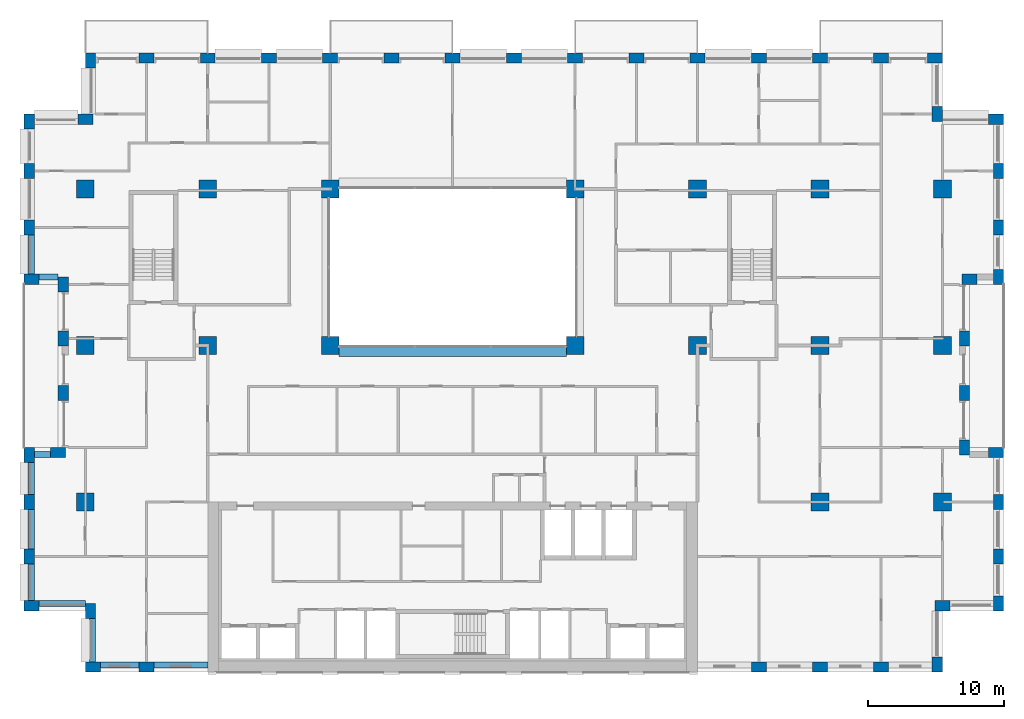
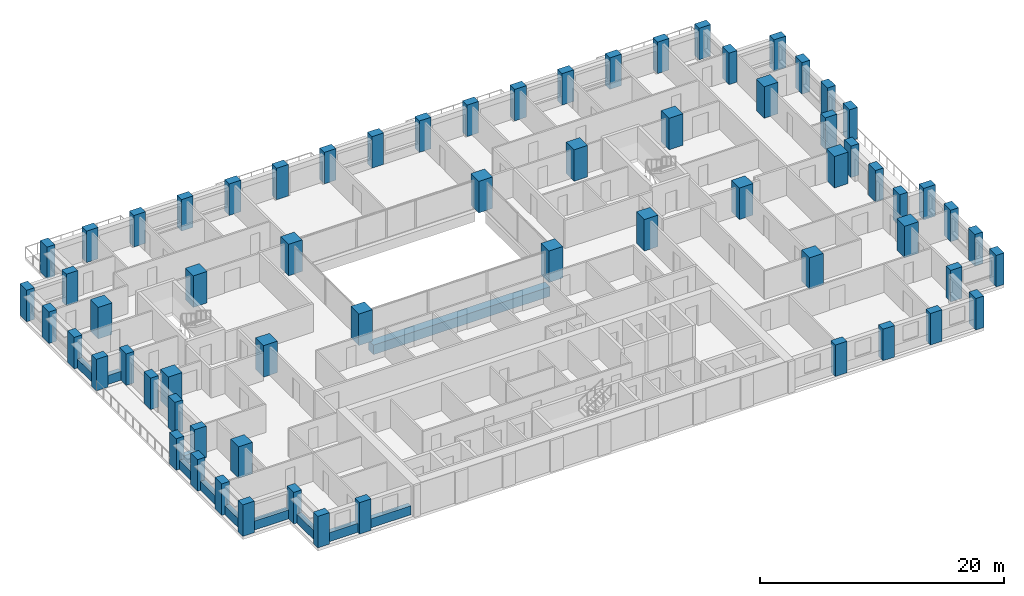
# One storey, part 1 of 16: 66 columns, 11 beams.
"""IFC4 building model written with IfcOpenShell, lengths in metres."""

from ifc_helpers import new_model, si_unit, direction, frame, origin, origin_2d, place, context, subcontext, project, spatial, rectangle, extrude, material, material_profile, profile_set, type_object, element, save


model = new_model("IFC4")

# Units and contexts
model_context = context("Model", 3, precision=1e-05, world=origin(), true_north=direction((0.0, 1.0)))
body_context = subcontext(model_context, "Body", "Model", "MODEL_VIEW")
ifc_project = project(units=[si_unit("LENGTHUNIT", "METRE"), si_unit("AREAUNIT", "SQUARE_METRE"), si_unit("VOLUMEUNIT", "CUBIC_METRE"), si_unit("PLANEANGLEUNIT", "RADIAN"), si_unit("MASSUNIT", "GRAM", prefix="KILO")], contexts=[model_context])

# Site, building, storey
site_placement = place(None, origin())
site = spatial("IfcSite", under=ifc_project, at=site_placement, CompositionType="ELEMENT")
building_placement = place(site_placement, origin())
building = spatial("IfcBuilding", under=site, at=building_placement, Name="Brigalow Station Residences", CompositionType="ELEMENT")
storey_placement = place(building_placement, frame((0.0, 0.0, 89.85009765625)))
storey = spatial("IfcBuildingStorey", under=building, at=storey_placement, Name="L25", CompositionType="ELEMENT", Elevation=89.85009765625)

# Columns
ifc_material_1 = material(Name="Concrete C65", Category="concrete")
ifc_material_profile_1 = material_profile(ifc_material_1, rectangle(XDim=1.300048828125, YDim=1.300048828125, at=origin_2d()), Name="RC1300x1300")
ifc_profile_set_1 = profile_set([ifc_material_profile_1], Name="Concrete C65")
column_type_1 = type_object("IfcColumnType", Name="COLUMN 1300x1300 C65", PredefinedType="COLUMN", material=ifc_profile_set_1)
for number, where, z_axis, x_axis, name in (
    (1, (9.0, 24.0, 0.0), (0.0, 0.0, 1.0), (1.0, 0.0, 0.0), "COLUMN C1 L25"),
    (2, (18.0, 24.0, 0.0), (0.0, 0.0, 1.0), (1.0, 0.0, 0.0), "COLUMN C2 L25"),
    (3, (27.0, 24.0, 0.0), (0.0, 0.0, 1.0), (1.0, 0.0, 0.0), "COLUMN C3 L25"),
    (4, (45.0, 24.0, 0.0), (0.0, 0.0, 1.0), (1.0, 0.0, 0.0), "COLUMN C5 L25"),
    (5, (54.0, 24.0, 0.0), (0.0, 0.0, 1.0), (1.0, 0.0, 0.0), "COLUMN C6 L25"),
    (6, (63.0, 24.0, 0.0), (0.0, 0.0, 1.0), (1.0, 0.0, 0.0), "COLUMN C7 L25"),
    (7, (72.0, 24.0, 0.0), (0.0, 0.0, 1.0), (1.0, 0.0, 0.0), "COLUMN C8 L25"),
    (8, (9.0, 35.5, 0.0), (0.0, 0.0, 1.0), (1.0, 0.0, 0.0), "COLUMN D1 L25"),
    (9, (18.0, 35.5, 0.0), (0.0, 0.0, 1.0), (1.0, 0.0, 0.0), "COLUMN D2 L25"),
    (10, (27.0, 35.5, 0.0), (0.0, 0.0, 1.0), (1.0, 0.0, 0.0), "COLUMN D3 L25"),
    (11, (45.0, 35.5, 0.0), (0.0, 0.0, 1.0), (1.0, 0.0, 0.0), "COLUMN D5 L25"),
    (12, (54.0, 35.5, 0.0), (0.0, 0.0, 1.0), (1.0, 0.0, 0.0), "COLUMN D6 L25"),
    (13, (63.0, 35.5, 0.0), (0.0, 0.0, 1.0), (1.0, 0.0, 0.0), "COLUMN D7 L25"),
    (14, (72.0, 35.5, 0.0), (0.0, 0.0, 1.0), (1.0, 0.0, 0.0), "COLUMN D8 L25"),
    (15, (9.0, 12.5, 0.0), (0.0, 0.0, 1.0), (1.0, 0.0, 0.0), "COLUMN B1 L25"),
    (16, (63.0, 12.5, 0.0), (0.0, 0.0, 1.0), (1.0, 0.0, 0.0), "COLUMN B7 L25"),
    (17, (72.0, 12.5, 0.0), (0.0, 0.0, 1.0), (1.0, 0.0, 0.0), "COLUMN B8 L25"),
):
    element("IfcColumn", number, at=place(storey_placement, frame(where, z_axis=z_axis, x_axis=x_axis)), inside=storey, type_object=column_type_1, Name=name, PredefinedType="COLUMN", context=body_context, shape_type="SweptSolid", body=[
        extrude(rectangle(XDim=1.300048828125, YDim=1.300048828125, at=origin_2d()), origin(), (0.0, 0.0, 1.0), 3.14990234375),
    ])
ifc_material_2 = material(Name="Concrete C65", Category="concrete")
ifc_material_profile_2 = material_profile(ifc_material_2, rectangle(XDim=1.10009765625, YDim=0.75, at=origin_2d()), Name="RC1100x750")
ifc_profile_set_2 = profile_set([ifc_material_profile_2], Name="Concrete C65")
column_type_2 = type_object("IfcColumnType", Name="PIER 1100x750 C65", PredefinedType="USERDEFINED", material=ifc_profile_set_2)
for number, where, z_axis, x_axis, name in (
    (18, (9.550048828125, 0.375, 0.0), (0.0, 0.0, 1.0), (1.0, 0.0, 0.0), "PIER S-1 L25"),
    (19, (13.5, 0.375, 0.0), (0.0, 0.0, 1.0), (1.0, 0.0, 0.0), "PIER S-2 L25"),
    (20, (58.5, 0.375, 0.0), (0.0, 0.0, 1.0), (1.0, 0.0, 0.0), "PIER S-12 L25"),
    (21, (63.0, 0.375, 0.0), (0.0, 0.0, 1.0), (1.0, 0.0, 0.0), "PIER S-13 L25"),
    (22, (67.5, 0.375, 0.0), (0.0, 0.0, 1.0), (1.0, 0.0, 0.0), "PIER S-14 L25"),
    (23, (71.625, 0.550048828125, 0.0), (0.0, 0.0, 1.0), (0.0, 1.0, 0.0), "PIER SE1-1 L25"),
    (24, (72.0, 4.875, 0.0), (0.0, 0.0, 1.0), (1.0, 0.0, 0.0), "PIER SE2-1 L25"),
    (25, (76.125, 5.050048828125, 0.0), (0.0, 0.0, 1.0), (0.0, 1.0, 0.0), "PIER E1-1 L25"),
    (26, (76.125, 8.5, 0.0), (0.0, 0.0, 1.0), (0.0, 1.0, 0.0), "PIER E1-2 L25"),
    (27, (76.125, 12.5, 0.0), (0.0, 0.0, 1.0), (0.0, 1.0, 0.0), "PIER E1-3 L25"),
    (28, (75.949951171875, 16.125, 0.0), (0.0, 0.0, 1.0), (-1.0, 0.0, 0.0), "PIER EL1-1 L25"),
    (29, (73.625, 16.5, 0.0), (0.0, 0.0, 1.0), (0.0, 1.0, 0.0), "PIER EL2-1 L25"),
    (30, (73.625, 20.5, 0.0), (0.0, 0.0, 1.0), (0.0, 1.0, 0.0), "PIER EL2-2 L25"),
    (31, (73.625, 24.5, 0.0), (0.0, 0.0, 1.0), (0.0, 1.0, 0.0), "PIER EL2-3 L25"),
    (32, (74.0, 28.875, 0.0), (0.0, 0.0, 1.0), (1.0, 0.0, 0.0), "PIER EL3-1 L25"),
    (33, (76.125, 29.050048828125, 0.0), (0.0, 0.0, 1.0), (0.0, 1.0, 0.0), "PIER E2-1 L25"),
    (34, (76.125, 32.6669921875, 0.0), (0.0, 0.0, 1.0), (0.0, 1.0, 0.0), "PIER E2-2 L25"),
    (35, (76.125, 36.8330078125, 0.0), (0.0, 0.0, 1.0), (0.0, 1.0, 0.0), "PIER E2-3 L25"),
    (36, (75.949951171875, 40.625, 0.0), (0.0, 0.0, 1.0), (-1.0, 0.0, 0.0), "PIER NE1-1 L25"),
    (37, (71.625, 41.0, 0.0), (0.0, 0.0, 1.0), (0.0, 1.0, 0.0), "PIER NE2-1 L25"),
    (38, (71.449951171875, 45.125, 0.0), (0.0, 0.0, 1.0), (-1.0, 0.0, 0.0), "PIER N-1 L25"),
    (39, (67.5, 45.125, 0.0), (0.0, 0.0, 1.0), (-1.0, 0.0, 0.0), "PIER N-2 L25"),
    (40, (63.0, 45.125, 0.0), (0.0, 0.0, 1.0), (-1.0, 0.0, 0.0), "PIER N-3 L25"),
    (41, (58.5, 45.125, 0.0), (0.0, 0.0, 1.0), (-1.0, 0.0, 0.0), "PIER N-4 L25"),
    (42, (54.0, 45.125, 0.0), (0.0, 0.0, 1.0), (-1.0, 0.0, 0.0), "PIER N-5 L25"),
    (43, (49.5, 45.125, 0.0), (0.0, 0.0, 1.0), (-1.0, 0.0, 0.0), "PIER N-6 L25"),
    (44, (45.0, 45.125, 0.0), (0.0, 0.0, 1.0), (-1.0, 0.0, 0.0), "PIER N-7 L25"),
    (45, (40.5, 45.125, 0.0), (0.0, 0.0, 1.0), (-1.0, 0.0, 0.0), "PIER N-8 L25"),
    (46, (36.0, 45.125, 0.0), (0.0, 0.0, 1.0), (-1.0, 0.0, 0.0), "PIER N-9 L25"),
    (47, (31.5, 45.125, 0.0), (0.0, 0.0, 1.0), (-1.0, 0.0, 0.0), "PIER N-10 L25"),
    (48, (27.0, 45.125, 0.0), (0.0, 0.0, 1.0), (-1.0, 0.0, 0.0), "PIER N-11 L25"),
    (49, (22.5, 45.125, 0.0), (0.0, 0.0, 1.0), (-1.0, 0.0, 0.0), "PIER N-12 L25"),
    (50, (18.0, 45.125, 0.0), (0.0, 0.0, 1.0), (-1.0, 0.0, 0.0), "PIER N-13 L25"),
    (51, (13.5, 45.125, 0.0), (0.0, 0.0, 1.0), (-1.0, 0.0, 0.0), "PIER N-14 L25"),
    (52, (9.375, 44.949951171875, 0.0), (0.0, 0.0, 1.0), (0.0, -1.0, 0.0), "PIER NW1-1 L25"),
    (53, (9.0, 40.625, 0.0), (0.0, 0.0, 1.0), (-1.0, 0.0, 0.0), "PIER NW2-1 L25"),
    (54, (4.875, 40.449951171875, 0.0), (0.0, 0.0, 1.0), (0.0, -1.0, 0.0), "PIER W2-1 L25"),
    (55, (4.875, 36.8330078125, 0.0), (0.0, 0.0, 1.0), (0.0, -1.0, 0.0), "PIER W2-2 L25"),
    (56, (4.875, 32.6669921875, 0.0), (0.0, 0.0, 1.0), (0.0, -1.0, 0.0), "PIER W2-3 L25"),
    (57, (5.050048828125, 28.875, 0.0), (0.0, 0.0, 1.0), (1.0, 0.0, 0.0), "PIER WL1-1 L25"),
    (58, (7.375, 28.5, 0.0), (0.0, 0.0, 1.0), (0.0, -1.0, 0.0), "PIER WL2-1 L25"),
    (59, (7.375, 24.5, 0.0), (0.0, 0.0, 1.0), (0.0, -1.0, 0.0), "PIER WL2-2 L25"),
    (60, (7.375, 20.5, 0.0), (0.0, 0.0, 1.0), (0.0, -1.0, 0.0), "PIER WL2-3 L25"),
    (61, (7.0, 16.125, 0.0), (0.0, 0.0, 1.0), (-1.0, 0.0, 0.0), "PIER WL3-1 L25"),
    (62, (4.875, 15.949951171875, 0.0), (0.0, 0.0, 1.0), (0.0, -1.0, 0.0), "PIER W1-1 L25"),
    (63, (4.875, 12.5, 0.0), (0.0, 0.0, 1.0), (0.0, -1.0, 0.0), "PIER W1-2 L25"),
    (64, (4.875, 8.5, 0.0), (0.0, 0.0, 1.0), (0.0, -1.0, 0.0), "PIER W1-3 L25"),
    (65, (5.050048828125, 4.875, 0.0), (0.0, 0.0, 1.0), (1.0, 0.0, 0.0), "PIER SW1-1 L25"),
    (66, (9.375, 4.5, 0.0), (0.0, 0.0, 1.0), (0.0, -1.0, 0.0), "PIER SW2-1 L25"),
):
    element("IfcColumn", number, at=place(storey_placement, frame(where, z_axis=z_axis, x_axis=x_axis)), inside=storey, type_object=column_type_2, Name=name, ObjectType="PIER", PredefinedType="USERDEFINED", context=body_context, shape_type="SweptSolid", body=[
        extrude(rectangle(XDim=1.10009765625, YDim=0.75, at=origin_2d()), origin(), (0.0, 0.0, 1.0), 3.14990234375),
    ])

# Beams
ifc_material_3 = material(Name="Concrete C65", Category="concrete")
ifc_material_profile_3 = material_profile(ifc_material_3, rectangle(XDim=0.800048828125, YDim=0.949951171875, at=origin_2d()), Name="RC800x950")
ifc_profile_set_3 = profile_set([ifc_material_profile_3], Name="Concrete C65")
beam_type_1 = type_object("IfcBeamType", Name="ATRIUM EDGE GIRDER OVER 13.5 M SPAN 800x950 C65", PredefinedType="BEAM", material=ifc_profile_set_3)
beam_1_placement = place(storey_placement, frame((27.64990234375, 23.60009765625, -0.795166015625), z_axis=(1.0, 0.0, 0.0), x_axis=(0.0, 1.0, 0.0)))
element("IfcBeam", 67, at=beam_1_placement, inside=storey, type_object=beam_type_1, Name="ATRIUM EDGE GIRDER C L25", PredefinedType="BEAM", context=body_context, shape_type="SweptSolid", body=[
    extrude(rectangle(XDim=0.800048828125, YDim=0.949951171875, at=origin_2d()), origin(), (0.0, 0.0, 1.0), 16.7001953125),
])
ifc_material_4 = material(Name="Concrete C65", Category="concrete")
ifc_material_profile_4 = material_profile(ifc_material_4, rectangle(XDim=0.449951171875, YDim=0.89990234375, at=origin_2d()), Name="RC450x900")
ifc_profile_set_4 = profile_set([ifc_material_profile_4], Name="Concrete C65")
beam_type_2 = type_object("IfcBeamType", Name="SPANDREL BEAM 450x900 C65", PredefinedType="SPANDREL", material=ifc_profile_set_4)
beam_2_placement = place(storey_placement, frame((10.10009765625, 0.52490234375, 0.449951171875), z_axis=(1.0, 0.0, 0.0), x_axis=(0.0, 1.0, 0.0)))
element("IfcBeam", 68, at=beam_2_placement, inside=storey, type_object=beam_type_2, Name="L25/spandrel/W-L25-1", PredefinedType="SPANDREL", context=body_context, shape_type="SweptSolid", body=[
    extrude(rectangle(XDim=0.449951171875, YDim=0.89990234375, at=origin_2d()), origin(), (0.0, 0.0, 1.0), 2.849853515625),
])
beam_3_placement = place(storey_placement, frame((14.050048828125, 0.52490234375, 0.449951171875), z_axis=(1.0, 0.0, 0.0), x_axis=(0.0, 1.0, 0.0)))
element("IfcBeam", 69, at=beam_3_placement, inside=storey, type_object=beam_type_2, Name="L25/spandrel/W-L25-2", PredefinedType="SPANDREL", context=body_context, shape_type="SweptSolid", body=[
    extrude(rectangle(XDim=0.449951171875, YDim=0.89990234375, at=origin_2d()), origin(), (0.0, 0.0, 1.0), 3.949951171875),
])
beam_4_placement = place(storey_placement, frame((5.02490234375, 32.116943359375, 0.449951171875), z_axis=(0.0, -1.0, 0.0), x_axis=(1.0, 0.0, 0.0)))
element("IfcBeam", 70, at=beam_4_placement, inside=storey, type_object=beam_type_2, Name="L25/spandrel/W-L25-41", PredefinedType="SPANDREL", context=body_context, shape_type="SweptSolid", body=[
    extrude(rectangle(XDim=0.449951171875, YDim=0.89990234375, at=origin_2d()), origin(), (0.0, 0.0, 1.0), 2.866943359375),
])
beam_5_placement = place(storey_placement, frame((5.60009765625, 29.02490234375, 0.449951171875), z_axis=(1.0, 0.0, 0.0), x_axis=(0.0, 1.0, 0.0)))
element("IfcBeam", 71, at=beam_5_placement, inside=storey, type_object=beam_type_2, Name="L25/spandrel/W-L25-42", PredefinedType="SPANDREL", context=body_context, shape_type="SweptSolid", body=[
    extrude(rectangle(XDim=0.449951171875, YDim=0.89990234375, at=origin_2d()), origin(), (0.0, 0.0, 1.0), 1.39990234375),
])
beam_6_placement = place(storey_placement, frame((6.449951171875, 15.97509765625, 0.449951171875), z_axis=(-1.0, 0.0, 0.0), x_axis=(0.0, -1.0, 0.0)))
element("IfcBeam", 72, at=beam_6_placement, inside=storey, type_object=beam_type_2, Name="L25/spandrel/W-L25-46", PredefinedType="SPANDREL", context=body_context, shape_type="SweptSolid", body=[
    extrude(rectangle(XDim=0.449951171875, YDim=0.89990234375, at=origin_2d()), origin(), (0.0, 0.0, 1.0), 1.199951171875),
])
beam_7_placement = place(storey_placement, frame((5.02490234375, 15.39990234375, 0.449951171875), z_axis=(0.0, -1.0, 0.0), x_axis=(1.0, 0.0, 0.0)))
element("IfcBeam", 73, at=beam_7_placement, inside=storey, type_object=beam_type_2, Name="L25/spandrel/W-L25-47", PredefinedType="SPANDREL", context=body_context, shape_type="SweptSolid", body=[
    extrude(rectangle(XDim=0.449951171875, YDim=0.89990234375, at=origin_2d()), origin(), (0.0, 0.0, 1.0), 2.349853515625),
])
beam_8_placement = place(storey_placement, frame((5.02490234375, 11.949951171875, 0.449951171875), z_axis=(0.0, -1.0, 0.0), x_axis=(1.0, 0.0, 0.0)))
element("IfcBeam", 74, at=beam_8_placement, inside=storey, type_object=beam_type_2, Name="L25/spandrel/W-L25-48", PredefinedType="SPANDREL", context=body_context, shape_type="SweptSolid", body=[
    extrude(rectangle(XDim=0.449951171875, YDim=0.89990234375, at=origin_2d()), origin(), (0.0, 0.0, 1.0), 2.89990234375),
])
beam_9_placement = place(storey_placement, frame((5.02490234375, 7.949951171875, 0.449951171875), z_axis=(0.0, -1.0, 0.0), x_axis=(1.0, 0.0, 0.0)))
element("IfcBeam", 75, at=beam_9_placement, inside=storey, type_object=beam_type_2, Name="L25/spandrel/W-L25-49", PredefinedType="SPANDREL", context=body_context, shape_type="SweptSolid", body=[
    extrude(rectangle(XDim=0.449951171875, YDim=0.89990234375, at=origin_2d()), origin(), (0.0, 0.0, 1.0), 2.699951171875),
])
beam_10_placement = place(storey_placement, frame((5.60009765625, 5.02490234375, 0.449951171875), z_axis=(1.0, 0.0, 0.0), x_axis=(0.0, 1.0, 0.0)))
element("IfcBeam", 76, at=beam_10_placement, inside=storey, type_object=beam_type_2, Name="L25/spandrel/W-L25-50", PredefinedType="SPANDREL", context=body_context, shape_type="SweptSolid", body=[
    extrude(rectangle(XDim=0.449951171875, YDim=0.89990234375, at=origin_2d()), origin(), (0.0, 0.0, 1.0), 3.39990234375),
])
beam_11_placement = place(storey_placement, frame((9.52490234375, 3.949951171875, 0.449951171875), z_axis=(0.0, -1.0, 0.0), x_axis=(1.0, 0.0, 0.0)))
element("IfcBeam", 77, at=beam_11_placement, inside=storey, type_object=beam_type_2, Name="L25/spandrel/W-L25-51", PredefinedType="SPANDREL", context=body_context, shape_type="SweptSolid", body=[
    extrude(rectangle(XDim=0.449951171875, YDim=0.89990234375, at=origin_2d()), origin(), (0.0, 0.0, 1.0), 3.199951171875),
])

save(model, "model.ifc")
